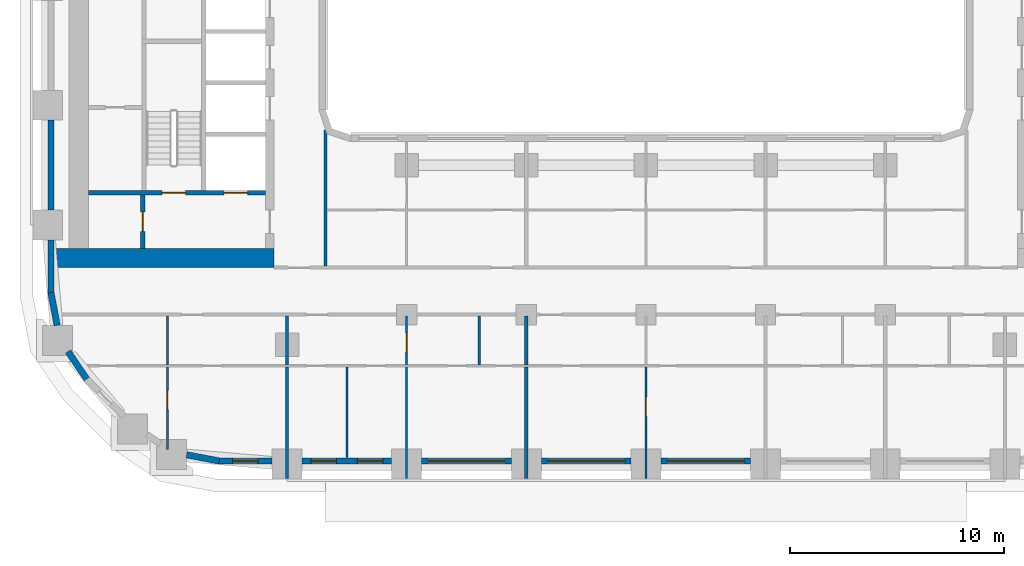
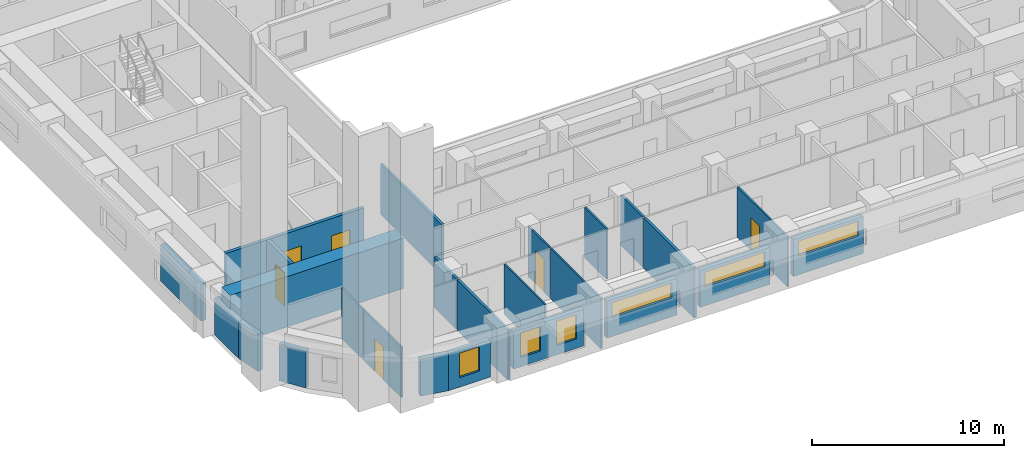
# One storey, part 2 of 22: 25 walls, 6 doors, 6 windows, 12 openings.
"""IFC4 building model written with IfcOpenShell, lengths in metres."""

from ifc_helpers import new_model, si_unit, direction, frame, frame_2d, origin, place, context, subcontext, project, spatial, rectangle, extrude, material, layer, layer_set, type_object, element, fill, save


model = new_model("IFC4")

# Units and contexts
model_context = context("Model", 3, precision=1e-05, world=origin(), true_north=direction((0.0, 1.0)))
body_context = subcontext(model_context, "Body", "Model", "MODEL_VIEW")
ifc_project = project(units=[si_unit("LENGTHUNIT", "METRE"), si_unit("AREAUNIT", "SQUARE_METRE"), si_unit("VOLUMEUNIT", "CUBIC_METRE"), si_unit("PLANEANGLEUNIT", "RADIAN"), si_unit("MASSUNIT", "GRAM", prefix="KILO")], contexts=[model_context])

# Site, building, storey
site_placement = place(None, origin())
site = spatial("IfcSite", under=ifc_project, at=site_placement, CompositionType="ELEMENT")
building_placement = place(site_placement, origin())
building = spatial("IfcBuilding", under=site, at=building_placement, Name="Kiln Ring Residences", CompositionType="ELEMENT")
storey_placement = place(building_placement, frame((0.0, 0.0, 55.0)))
storey = spatial("IfcBuildingStorey", under=building, at=storey_placement, Name="L13", CompositionType="ELEMENT", Elevation=55.0)

# Wall, opening, door
ifc_material_1 = material(Name="Gypsum board on steel studs", Category="steel")
ifc_layer_1 = layer(ifc_material_1, 0.199951171875)
ifc_layer_set_1 = layer_set([ifc_layer_1], Name="CORE-PARTITION-200")
wall_type_1 = type_object("IfcWallType", Name="CORE-PARTITION-200", PredefinedType="PARTITIONING", material=ifc_layer_set_1)
wall_1_placement = place(storey_placement, frame((-23.550048828125, -12.300048828125, 0.0), z_axis=(0.0, 0.0, 1.0), x_axis=(0.0, 1.0, 0.0)))
wall_1 = element("IfcWall", 1, at=wall_1_placement, inside=storey, type_object=wall_type_1, Name="Core partition west L13 4", PredefinedType="PARTITIONING", context=body_context, shape_type="SweptSolid", body=[
    extrude(rectangle(XDim=2.5, YDim=0.199951171875, at=frame_2d((1.25, 0.0))), origin(), (0.0, 0.0, 1.0), 3.199951171875),
])
opening_1_placement = place(wall_1_placement, frame((0.800048828125, 0.0, 0.0)))
opening_1 = element("IfcOpeningElement", 2, at=opening_1_placement, cuts=wall_1, Name="Opening L13-CW10", PredefinedType="OPENING", context=body_context, shape_type="SweptSolid", body=[
    extrude(rectangle(XDim=0.89990234375, YDim=2.10009765625, at=frame_2d((0.449951171875, 1.050048828125))), frame((0.0, 0.10986328125, 0.0), z_axis=(0.0, -1.0, 0.0), x_axis=(1.0, 0.0, 0.0)), (0.0, 0.0, 1.0), 0.219970703125),
])
ifc_material_2 = material(Name="Steel door leaf", Category="steel")
door_type_1 = type_object("IfcDoorType", Name="CORE-DOOR-ROOM", OperationType="SINGLE_SWING_LEFT", PredefinedType="DOOR", material=ifc_material_2)
door_1_placement = place(opening_1_placement, origin())
door_1 = element("IfcDoor", 3, at=door_1_placement, inside=storey, type_object=door_type_1, Name="Store L13-CW10", OperationType="SINGLE_SWING_RIGHT", OverallHeight=2.10009765625, OverallWidth=0.89990234375, PredefinedType="DOOR", context=body_context, shape_type="SweptSolid", body=[
    extrude(rectangle(XDim=0.89990234375, YDim=2.10009765625, at=frame_2d((0.449951171875, 1.050048828125))), frame((0.0, 0.02490234375, 0.0), z_axis=(0.0, -1.0, 0.0), x_axis=(1.0, 0.0, 0.0)), (0.0, 0.0, 1.0), 0.050048828125),
])
fill(opening_1, door_1)

# Wall, openings, doors
ifc_material_3 = material(Name="Concrete C40/50", Category="concrete")
ifc_layer_2 = layer(ifc_material_3, 0.199951171875)
ifc_layer_set_2 = layer_set([ifc_layer_2], Name="CORE-WALL-RC200")
wall_type_2 = type_object("IfcWallType", Name="CORE-WALL-RC200", PredefinedType="SHEAR", material=ifc_layer_set_2)
wall_2_placement = place(storey_placement, frame((-17.800048828125, -9.699951171875, 0.0), z_axis=(0.0, 0.0, 1.0), x_axis=(-1.0, 0.0, 0.0)))
wall_2 = element("IfcWall", 4, at=wall_2_placement, inside=storey, type_object=wall_type_2, Name="Core wall west L13 8", PredefinedType="SHEAR", context=body_context, shape_type="SweptSolid", body=[
    extrude(rectangle(XDim=8.300048828125, YDim=0.199951171875, at=frame_2d((4.14990234375, 0.0))), origin(), (0.0, 0.0, 1.0), 3.199951171875),
])
opening_2_placement = place(wall_2_placement, frame((0.85009765625, 0.0, 0.0)))
opening_2 = element("IfcOpeningElement", 5, at=opening_2_placement, cuts=wall_2, Name="Opening L13-CW01", PredefinedType="OPENING", context=body_context, shape_type="SweptSolid", body=[
    extrude(rectangle(XDim=1.10009765625, YDim=2.10009765625, at=frame_2d((0.550048828125, 1.050048828125))), frame((0.0, 0.10986328125, 0.0), z_axis=(0.0, -1.0, 0.0), x_axis=(1.0, 0.0, 0.0)), (0.0, 0.0, 1.0), 0.219970703125),
])
opening_3_placement = place(wall_2_placement, frame((3.75, 0.0, 0.0)))
opening_3 = element("IfcOpeningElement", 6, at=opening_3_placement, cuts=wall_2, Name="Opening L13-CW12", PredefinedType="OPENING", context=body_context, shape_type="SweptSolid", body=[
    extrude(rectangle(XDim=1.10009765625, YDim=2.10009765625, at=frame_2d((0.550048828125, 1.050048828125))), frame((0.0, 0.10986328125, 0.0), z_axis=(0.0, -1.0, 0.0), x_axis=(1.0, 0.0, 0.0)), (0.0, 0.0, 1.0), 0.219970703125),
])
ifc_material_4 = material(Name="Steel door leaf", Category="steel")
door_type_2 = type_object("IfcDoorType", Name="CORE-DOOR-LD", OperationType="DOUBLE_DOOR_SLIDING", PredefinedType="DOOR", material=ifc_material_4)
door_2_placement = place(opening_2_placement, origin())
door_2 = element("IfcDoor", 7, at=door_2_placement, inside=storey, type_object=door_type_2, Name="LD W-SV L13-CW01", OperationType="DOUBLE_DOOR_SLIDING", OverallHeight=2.10009765625, OverallWidth=1.10009765625, PredefinedType="DOOR", context=body_context, shape_type="SweptSolid", body=[
    extrude(rectangle(XDim=1.10009765625, YDim=2.10009765625, at=frame_2d((0.550048828125, 1.050048828125))), frame((0.0, 0.02490234375, 0.0), z_axis=(0.0, -1.0, 0.0), x_axis=(1.0, 0.0, 0.0)), (0.0, 0.0, 1.0), 0.050048828125),
])
fill(opening_2, door_2)
ifc_material_5 = material(Name="Steel door leaf", Category="steel")
door_type_3 = type_object("IfcDoorType", Name="CORE-DOOR-STAIR", OperationType="SINGLE_SWING_LEFT", PredefinedType="DOOR", material=ifc_material_5)
door_3_placement = place(opening_3_placement, origin())
door_3 = element("IfcDoor", 8, at=door_3_placement, inside=storey, type_object=door_type_3, Name="Stair W-STS L13-CW12", OperationType="SINGLE_SWING_LEFT", OverallHeight=2.10009765625, OverallWidth=1.10009765625, PredefinedType="DOOR", context=body_context, shape_type="SweptSolid", body=[
    extrude(rectangle(XDim=1.10009765625, YDim=2.10009765625, at=frame_2d((0.550048828125, 1.050048828125))), frame((0.0, 0.02490234375, 0.0), z_axis=(0.0, -1.0, 0.0), x_axis=(1.0, 0.0, 0.0)), (0.0, 0.0, 1.0), 0.050048828125),
])
fill(opening_3, door_3)

# Walls
ifc_material_6 = material(Name="Concrete C60/75", Category="concrete")
ifc_layer_3 = layer(ifc_material_6, 0.89990234375)
ifc_layer_set_3 = layer_set([ifc_layer_3], Name="CORE-WALL-RC900")
wall_type_3 = type_object("IfcWallType", Name="CORE-WALL-RC900", PredefinedType="SHEAR", material=ifc_layer_set_3)
wall_3_placement = place(storey_placement, frame((-17.39990234375, -12.75, 0.0), z_axis=(0.0, 0.0, 1.0), x_axis=(-1.0, 0.0, 0.0)))
element("IfcWall", 9, at=wall_3_placement, inside=storey, type_object=wall_type_3, Name="Core wall west L13 5", PredefinedType="SHEAR", context=body_context, shape_type="SweptSolid", body=[
    extrude(rectangle(XDim=10.400146484375, YDim=0.89990234375, at=frame_2d((5.2001953125, 0.0))), origin(), (0.0, 0.0, 1.0), 3.199951171875),
])
ifc_material_7 = material(Name="Brick masonry, dark clay brick", Category="masonry")
ifc_layer_4 = layer(ifc_material_7, 0.300048828125)
ifc_layer_set_4 = layer_set([ifc_layer_4], Name="EW-300 BRICK WALL")
wall_type_4 = type_object("IfcWallType", Name="EW-300 BRICK WALL", PredefinedType="SOLIDWALL", material=ifc_layer_set_4)
wall_4_placement = place(storey_placement, frame((-21.50048828125, -21.961181640625, 0.0), z_axis=(0.0, 0.0, 1.0), x_axis=(0.982297345734, -0.187328386968, 0.0)))
element("IfcWall", 10, at=wall_4_placement, inside=storey, type_object=wall_type_4, Name="Facade wall L13 3", PredefinedType="SOLIDWALL", context=body_context, shape_type="SweptSolid", body=[
    extrude(rectangle(XDim=1.55615234375, YDim=0.300048828125, at=frame_2d((0.778076171875, 0.0))), origin(), (0.0, 0.0, 1.0), 2.35009765625),
])

# Wall, opening, window
wall_5_placement = place(storey_placement, frame((-20.0, -22.25, 0.0), z_axis=(0.0, 0.0, 1.0), x_axis=(1.0, 0.0, 0.0)))
wall_5 = element("IfcWall", 11, at=wall_5_placement, inside=storey, type_object=wall_type_4, Name="Facade wall L13 4", PredefinedType="SOLIDWALL", context=body_context, shape_type="SweptSolid", body=[
    extrude(rectangle(XDim=2.5, YDim=0.300048828125, at=frame_2d((1.25, 0.0))), origin(), (0.0, 0.0, 1.0), 2.35009765625),
])
opening_4_placement = place(wall_5_placement, frame((0.64990234375, 0.0, 0.60009765625)))
opening_4 = element("IfcOpeningElement", 12, at=opening_4_placement, cuts=wall_5, Name="Opening W1", PredefinedType="OPENING", context=body_context, shape_type="SweptSolid", body=[
    extrude(rectangle(XDim=1.199951171875, YDim=1.550048828125, at=frame_2d((0.60009765625, 0.77490234375))), frame((0.0, 0.159912109375, 0.0), z_axis=(0.0, -1.0, 0.0), x_axis=(1.0, 0.0, 0.0)), (0.0, 0.0, 1.0), 0.320068359375),
])
ifc_material_8 = material(Name="Aluminium frame with double glazing", Category="aluminium")
window_type_1 = type_object("IfcWindowType", Name="WINDOW 1200 x 1550", PartitioningType="SINGLE_PANEL", PredefinedType="WINDOW", material=ifc_material_8)
window_1_placement = place(opening_4_placement, origin())
window_1 = element("IfcWindow", 13, at=window_1_placement, inside=storey, type_object=window_type_1, Name="Window L13 2", OverallHeight=1.550048828125, OverallWidth=1.199951171875, PartitioningType="SINGLE_PANEL", PredefinedType="WINDOW", context=body_context, shape_type="SweptSolid", body=[
    extrude(rectangle(XDim=1.199951171875, YDim=1.550048828125, at=frame_2d((0.60009765625, 0.77490234375))), frame((0.0, 0.030029296875, 0.0), z_axis=(0.0, -1.0, 0.0), x_axis=(1.0, 0.0, 0.0)), (0.0, 0.0, 1.0), 0.06005859375),
])
fill(opening_4, window_1)

# Wall, openings, windows
wall_6_placement = place(storey_placement, frame((-16.10009765625, -22.25, 0.0), z_axis=(0.0, 0.0, 1.0), x_axis=(1.0, 0.0, 0.0)))
wall_6 = element("IfcWall", 14, at=wall_6_placement, inside=storey, type_object=wall_type_4, Name="Facade wall L13 5", PredefinedType="SOLIDWALL", context=body_context, shape_type="SweptSolid", body=[
    extrude(rectangle(XDim=4.2001953125, YDim=0.300048828125, at=frame_2d((2.10009765625, 0.0))), origin(), (0.0, 0.0, 1.0), 2.35009765625),
])
opening_5_placement = place(wall_6_placement, frame((0.41259765625, 0.0, 0.60009765625)))
opening_5 = element("IfcOpeningElement", 15, at=opening_5_placement, cuts=wall_6, Name="Opening W1", PredefinedType="OPENING", context=body_context, shape_type="SweptSolid", body=[
    extrude(rectangle(XDim=1.199951171875, YDim=1.550048828125, at=frame_2d((0.60009765625, 0.77490234375))), frame((0.0, 0.159912109375, 0.0), z_axis=(0.0, -1.0, 0.0), x_axis=(1.0, 0.0, 0.0)), (0.0, 0.0, 1.0), 0.320068359375),
])
opening_6_placement = place(wall_6_placement, frame((2.58740234375, 0.0, 0.60009765625)))
opening_6 = element("IfcOpeningElement", 16, at=opening_6_placement, cuts=wall_6, Name="Opening W1", PredefinedType="OPENING", context=body_context, shape_type="SweptSolid", body=[
    extrude(rectangle(XDim=1.199951171875, YDim=1.550048828125, at=frame_2d((0.60009765625, 0.77490234375))), frame((0.0, 0.159912109375, 0.0), z_axis=(0.0, -1.0, 0.0), x_axis=(1.0, 0.0, 0.0)), (0.0, 0.0, 1.0), 0.320068359375),
])
window_2_placement = place(opening_5_placement, origin())
window_2 = element("IfcWindow", 17, at=window_2_placement, inside=storey, type_object=window_type_1, Name="Window L13 3", OverallHeight=1.550048828125, OverallWidth=1.199951171875, PartitioningType="SINGLE_PANEL", PredefinedType="WINDOW", context=body_context, shape_type="SweptSolid", body=[
    extrude(rectangle(XDim=1.199951171875, YDim=1.550048828125, at=frame_2d((0.60009765625, 0.77490234375))), frame((0.0, 0.030029296875, 0.0), z_axis=(0.0, -1.0, 0.0), x_axis=(1.0, 0.0, 0.0)), (0.0, 0.0, 1.0), 0.06005859375),
])
fill(opening_5, window_2)
window_3_placement = place(opening_6_placement, origin())
window_3 = element("IfcWindow", 18, at=window_3_placement, inside=storey, type_object=window_type_1, Name="Window L13 4", OverallHeight=1.550048828125, OverallWidth=1.199951171875, PartitioningType="SINGLE_PANEL", PredefinedType="WINDOW", context=body_context, shape_type="SweptSolid", body=[
    extrude(rectangle(XDim=1.199951171875, YDim=1.550048828125, at=frame_2d((0.60009765625, 0.77490234375))), frame((0.0, 0.030029296875, 0.0), z_axis=(0.0, -1.0, 0.0), x_axis=(1.0, 0.0, 0.0)), (0.0, 0.0, 1.0), 0.06005859375),
])
fill(opening_6, window_3)

# Wall, opening, window
wall_7_placement = place(storey_placement, frame((-10.5, -22.25, 0.0), z_axis=(0.0, 0.0, 1.0), x_axis=(1.0, 0.0, 0.0)))
wall_7 = element("IfcWall", 19, at=wall_7_placement, inside=storey, type_object=wall_type_4, Name="Facade wall L13 6", PredefinedType="SOLIDWALL", context=body_context, shape_type="SweptSolid", body=[
    extrude(rectangle(XDim=4.199951171875, YDim=0.300048828125, at=frame_2d((2.10009765625, 0.0))), origin(), (0.0, 0.0, 1.0), 2.35009765625),
])
opening_7_placement = place(wall_7_placement, frame((0.300048828125, 0.0, 1.199951171875)))
opening_7 = element("IfcOpeningElement", 20, at=opening_7_placement, cuts=wall_7, Name="Opening W4", PredefinedType="OPENING", context=body_context, shape_type="SweptSolid", body=[
    extrude(rectangle(XDim=3.60009765625, YDim=0.949951171875, at=frame_2d((1.800048828125, 0.47509765625))), frame((0.0, 0.159912109375, 0.0), z_axis=(0.0, -1.0, 0.0), x_axis=(1.0, 0.0, 0.0)), (0.0, 0.0, 1.0), 0.320068359375),
])
ifc_material_9 = material(Name="Aluminium frame with double glazing", Category="aluminium")
window_type_2 = type_object("IfcWindowType", Name="WINDOW 3600 x 950", PartitioningType="SINGLE_PANEL", PredefinedType="WINDOW", material=ifc_material_9)
window_4_placement = place(opening_7_placement, origin())
window_4 = element("IfcWindow", 21, at=window_4_placement, inside=storey, type_object=window_type_2, Name="Window L13 5", OverallHeight=0.949951171875, OverallWidth=3.60009765625, PartitioningType="SINGLE_PANEL", PredefinedType="WINDOW", context=body_context, shape_type="SweptSolid", body=[
    extrude(rectangle(XDim=3.60009765625, YDim=0.949951171875, at=frame_2d((1.800048828125, 0.47509765625))), frame((0.0, 0.030029296875, 0.0), z_axis=(0.0, -1.0, 0.0), x_axis=(1.0, 0.0, 0.0)), (0.0, 0.0, 1.0), 0.06005859375),
])
fill(opening_7, window_4)

wall_8_placement = place(storey_placement, frame((-4.89990234375, -22.25, 0.0), z_axis=(0.0, 0.0, 1.0), x_axis=(1.0, 0.0, 0.0)))
wall_8 = element("IfcWall", 22, at=wall_8_placement, inside=storey, type_object=wall_type_4, Name="Facade wall L13 7", PredefinedType="SOLIDWALL", context=body_context, shape_type="SweptSolid", body=[
    extrude(rectangle(XDim=4.199951171875, YDim=0.300048828125, at=frame_2d((2.10009765625, 0.0))), origin(), (0.0, 0.0, 1.0), 2.35009765625),
])
opening_8_placement = place(wall_8_placement, frame((0.300048828125, 0.0, 1.199951171875)))
opening_8 = element("IfcOpeningElement", 23, at=opening_8_placement, cuts=wall_8, Name="Opening W4", PredefinedType="OPENING", context=body_context, shape_type="SweptSolid", body=[
    extrude(rectangle(XDim=3.60009765625, YDim=0.949951171875, at=frame_2d((1.800048828125, 0.47509765625))), frame((0.0, 0.159912109375, 0.0), z_axis=(0.0, -1.0, 0.0), x_axis=(1.0, 0.0, 0.0)), (0.0, 0.0, 1.0), 0.320068359375),
])
window_5_placement = place(opening_8_placement, origin())
window_5 = element("IfcWindow", 24, at=window_5_placement, inside=storey, type_object=window_type_2, Name="Window L13 6", OverallHeight=0.949951171875, OverallWidth=3.60009765625, PartitioningType="SINGLE_PANEL", PredefinedType="WINDOW", context=body_context, shape_type="SweptSolid", body=[
    extrude(rectangle(XDim=3.60009765625, YDim=0.949951171875, at=frame_2d((1.800048828125, 0.47509765625))), frame((0.0, 0.030029296875, 0.0), z_axis=(0.0, -1.0, 0.0), x_axis=(1.0, 0.0, 0.0)), (0.0, 0.0, 1.0), 0.06005859375),
])
fill(opening_8, window_5)

wall_9_placement = place(storey_placement, frame((0.699951171875, -22.25, 0.0), z_axis=(0.0, 0.0, 1.0), x_axis=(1.0, 0.0, 0.0)))
wall_9 = element("IfcWall", 25, at=wall_9_placement, inside=storey, type_object=wall_type_4, Name="Facade wall L13 8", PredefinedType="SOLIDWALL", context=body_context, shape_type="SweptSolid", body=[
    extrude(rectangle(XDim=4.199951171875, YDim=0.300048828125, at=frame_2d((2.10009765625, 0.0))), origin(), (0.0, 0.0, 1.0), 2.35009765625),
])
opening_9_placement = place(wall_9_placement, frame((0.300048828125, 0.0, 1.199951171875)))
opening_9 = element("IfcOpeningElement", 26, at=opening_9_placement, cuts=wall_9, Name="Opening W4", PredefinedType="OPENING", context=body_context, shape_type="SweptSolid", body=[
    extrude(rectangle(XDim=3.60009765625, YDim=0.949951171875, at=frame_2d((1.800048828125, 0.47509765625))), frame((0.0, 0.159912109375, 0.0), z_axis=(0.0, -1.0, 0.0), x_axis=(1.0, 0.0, 0.0)), (0.0, 0.0, 1.0), 0.320068359375),
])
window_6_placement = place(opening_9_placement, origin())
window_6 = element("IfcWindow", 27, at=window_6_placement, inside=storey, type_object=window_type_2, Name="Window L13 7", OverallHeight=0.949951171875, OverallWidth=3.60009765625, PartitioningType="SINGLE_PANEL", PredefinedType="WINDOW", context=body_context, shape_type="SweptSolid", body=[
    extrude(rectangle(XDim=3.60009765625, YDim=0.949951171875, at=frame_2d((1.800048828125, 0.47509765625))), frame((0.0, 0.030029296875, 0.0), z_axis=(0.0, -1.0, 0.0), x_axis=(1.0, 0.0, 0.0)), (0.0, 0.0, 1.0), 0.06005859375),
])
fill(opening_9, window_6)

# Walls
wall_10_placement = place(storey_placement, frame((-27.85009765625, -6.300048828125, 0.0), z_axis=(0.0, 0.0, 1.0), x_axis=(0.0, -1.0, 0.0)))
element("IfcWall", 28, at=wall_10_placement, inside=storey, type_object=wall_type_4, Name="Facade wall L13 45", PredefinedType="SOLIDWALL", context=body_context, shape_type="SweptSolid", body=[
    extrude(rectangle(XDim=4.199951171875, YDim=0.300048828125, at=frame_2d((2.10009765625, 0.0))), origin(), (0.0, 0.0, 1.0), 2.35009765625),
])
wall_11_placement = place(storey_placement, frame((-27.85009765625, -11.89990234375, 0.0), z_axis=(0.0, 0.0, 1.0), x_axis=(0.0, -1.0, 0.0)))
element("IfcWall", 29, at=wall_11_placement, inside=storey, type_object=wall_type_4, Name="Facade wall L13 46", PredefinedType="SOLIDWALL", context=body_context, shape_type="SweptSolid", body=[
    extrude(rectangle(XDim=2.5, YDim=0.300048828125, at=frame_2d((1.25, 0.0))), origin(), (0.0, 0.0, 1.0), 2.35009765625),
])
for number, where, z_axis, x_axis, name in (
    (30, (-27.8525390625, -14.371826171875, 0.0), (0.0, 0.0, 1.0), (0.187328386968, -0.982297345734, 0.0), "Facade wall L13 47"),
    (31, (-27.053466796875, -17.125732421875, 0.0), (0.0, 0.0, 1.0), (0.56199241657, -0.827142384187, 0.0), "Facade wall L13 48"),
):
    element("IfcWall", number, at=place(storey_placement, frame(where, z_axis=z_axis, x_axis=x_axis)), inside=storey, type_object=wall_type_4, Name=name, PredefinedType="SOLIDWALL", context=body_context, shape_type="SweptSolid", body=[
        extrude(rectangle(XDim=1.55615234375, YDim=0.300048828125, at=frame_2d((0.778076171875, 0.0))), origin(), (0.0, 0.0, 1.0), 2.35009765625),
    ])

# Wall, opening, door
ifc_material_10 = material(Name="Gypsum board on steel studs", Category="steel")
ifc_layer_5 = layer(ifc_material_10, 0.10009765625)
ifc_layer_set_5 = layer_set([ifc_layer_5], Name="PARTITION-100")
wall_type_5 = type_object("IfcWallType", Name="PARTITION-100", PredefinedType="PARTITIONING", material=ifc_layer_set_5)
wall_12_placement = place(storey_placement, frame((-22.39990234375, -21.719970703125, 0.0), z_axis=(0.0, 0.0, 1.0), x_axis=(0.0, 1.0, 0.0)))
wall_12 = element("IfcWall", 32, at=wall_12_placement, inside=storey, type_object=wall_type_5, Name="Partition 008", PredefinedType="PARTITIONING", context=body_context, shape_type="SweptSolid", body=[
    extrude(rectangle(XDim=3.869873046875, YDim=0.10009765625, at=frame_2d((1.93505859375, 0.0))), origin(), (0.0, 0.0, 1.0), 3.199951171875),
])
opening_10_placement = place(wall_12_placement, frame((1.8701171875, 0.0, 0.0)))
opening_10 = element("IfcOpeningElement", 33, at=opening_10_placement, cuts=wall_12, Name="Opening L13-D056", PredefinedType="OPENING", context=body_context, shape_type="SweptSolid", body=[
    extrude(rectangle(XDim=0.89990234375, YDim=2.10009765625, at=frame_2d((0.449951171875, 1.050048828125))), frame((0.0, 0.06005859375, 0.0), z_axis=(0.0, -1.0, 0.0), x_axis=(1.0, 0.0, 0.0)), (0.0, 0.0, 1.0), 0.1201171875),
])
ifc_material_11 = material(Name="Timber door leaf", Category="wood")
door_type_4 = type_object("IfcDoorType", Name="FLAT-DOOR-900-PL", OperationType="SINGLE_SWING_LEFT", PredefinedType="DOOR", material=ifc_material_11)
door_4_placement = place(opening_10_placement, origin())
door_4 = element("IfcDoor", 34, at=door_4_placement, inside=storey, type_object=door_type_4, Name="Door L13-D056", OperationType="SINGLE_SWING_LEFT", OverallHeight=2.10009765625, OverallWidth=0.89990234375, PredefinedType="DOOR", context=body_context, shape_type="SweptSolid", body=[
    extrude(rectangle(XDim=0.89990234375, YDim=2.10009765625, at=frame_2d((0.449951171875, 1.050048828125))), frame((0.0, 0.02490234375, 0.0), z_axis=(0.0, -1.0, 0.0), x_axis=(1.0, 0.0, 0.0)), (0.0, 0.0, 1.0), 0.050048828125),
])
fill(opening_10, door_4)

# Walls
wall_13_placement = place(storey_placement, frame((-22.39990234375, -17.75, 0.0), z_axis=(0.0, 0.0, 1.0), x_axis=(0.0, 1.0, 0.0)))
element("IfcWall", 35, at=wall_13_placement, inside=storey, type_object=wall_type_5, Name="Partition 009", PredefinedType="PARTITIONING", context=body_context, shape_type="SweptSolid", body=[
    extrude(rectangle(XDim=2.27490234375, YDim=0.10009765625, at=frame_2d((1.137451171875, 0.0))), origin(), (0.0, 0.0, 1.0), 3.199951171875),
])
wall_14_placement = place(storey_placement, frame((-14.0, -22.080078125, 0.0), z_axis=(0.0, 0.0, 1.0), x_axis=(0.0, 1.0, 0.0)))
element("IfcWall", 36, at=wall_14_placement, inside=storey, type_object=wall_type_5, Name="Partition 018", PredefinedType="PARTITIONING", context=body_context, shape_type="SweptSolid", body=[
    extrude(rectangle(XDim=4.22998046875, YDim=0.10009765625, at=frame_2d((2.114990234375, 0.0))), origin(), (0.0, 0.0, 1.0), 3.199951171875),
])
wall_15_placement = place(storey_placement, frame((-11.199951171875, -23.080078125, 0.0), z_axis=(0.0, 0.0, 1.0), x_axis=(0.0, 1.0, 0.0)))
element("IfcWall", 37, at=wall_15_placement, inside=storey, type_object=wall_type_5, Name="Partition 020", PredefinedType="PARTITIONING", context=body_context, shape_type="SweptSolid", body=[
    extrude(rectangle(XDim=5.22998046875, YDim=0.10009765625, at=frame_2d((2.614990234375, 0.0))), origin(), (0.0, 0.0, 1.0), 3.199951171875),
])

# Wall, opening, door
wall_16_placement = place(storey_placement, frame((-11.199951171875, -17.75, 0.0), z_axis=(0.0, 0.0, 1.0), x_axis=(0.0, 1.0, 0.0)))
wall_16 = element("IfcWall", 38, at=wall_16_placement, inside=storey, type_object=wall_type_5, Name="Partition 021", PredefinedType="PARTITIONING", context=body_context, shape_type="SweptSolid", body=[
    extrude(rectangle(XDim=2.27490234375, YDim=0.10009765625, at=frame_2d((1.137451171875, 0.0))), origin(), (0.0, 0.0, 1.0), 3.199951171875),
])
opening_11_placement = place(wall_16_placement, frame((0.60009765625, 0.0, 0.0)))
opening_11 = element("IfcOpeningElement", 39, at=opening_11_placement, cuts=wall_16, Name="Opening L13-D058", PredefinedType="OPENING", context=body_context, shape_type="SweptSolid", body=[
    extrude(rectangle(XDim=0.89990234375, YDim=2.10009765625, at=frame_2d((0.449951171875, 1.050048828125))), frame((0.0, 0.06005859375, 0.0), z_axis=(0.0, -1.0, 0.0), x_axis=(1.0, 0.0, 0.0)), (0.0, 0.0, 1.0), 0.1201171875),
])
door_5_placement = place(opening_11_placement, origin())
door_5 = element("IfcDoor", 40, at=door_5_placement, inside=storey, type_object=door_type_4, Name="Door L13-D058", OperationType="SINGLE_SWING_RIGHT", OverallHeight=2.10009765625, OverallWidth=0.89990234375, PredefinedType="DOOR", context=body_context, shape_type="SweptSolid", body=[
    extrude(rectangle(XDim=0.89990234375, YDim=2.10009765625, at=frame_2d((0.449951171875, 1.050048828125))), frame((0.0, 0.02490234375, 0.0), z_axis=(0.0, -1.0, 0.0), x_axis=(1.0, 0.0, 0.0)), (0.0, 0.0, 1.0), 0.050048828125),
])
fill(opening_11, door_5)

# Wall
wall_17_placement = place(storey_placement, frame((-7.800048828125, -17.75, 0.0), z_axis=(0.0, 0.0, 1.0), x_axis=(0.0, 1.0, 0.0)))
element("IfcWall", 41, at=wall_17_placement, inside=storey, type_object=wall_type_5, Name="Partition 028", PredefinedType="PARTITIONING", context=body_context, shape_type="SweptSolid", body=[
    extrude(rectangle(XDim=2.27490234375, YDim=0.10009765625, at=frame_2d((1.137451171875, 0.0))), origin(), (0.0, 0.0, 1.0), 3.199951171875),
])

# Wall, opening, door
wall_18_placement = place(storey_placement, frame((0.0, -23.080078125, 0.0), z_axis=(0.0, 0.0, 1.0), x_axis=(0.0, 1.0, 0.0)))
wall_18 = element("IfcWall", 42, at=wall_18_placement, inside=storey, type_object=wall_type_5, Name="Partition 038", PredefinedType="PARTITIONING", context=body_context, shape_type="SweptSolid", body=[
    extrude(rectangle(XDim=5.22998046875, YDim=0.10009765625, at=frame_2d((2.614990234375, 0.0))), origin(), (0.0, 0.0, 1.0), 3.199951171875),
])
opening_12_placement = place(wall_18_placement, frame((2.919921875, 0.0, 0.0)))
opening_12 = element("IfcOpeningElement", 43, at=opening_12_placement, cuts=wall_18, Name="Opening L13-D066", PredefinedType="OPENING", context=body_context, shape_type="SweptSolid", body=[
    extrude(rectangle(XDim=0.89990234375, YDim=2.10009765625, at=frame_2d((0.449951171875, 1.050048828125))), frame((0.0, 0.06005859375, 0.0), z_axis=(0.0, -1.0, 0.0), x_axis=(1.0, 0.0, 0.0)), (0.0, 0.0, 1.0), 0.1201171875),
])
door_6_placement = place(opening_12_placement, origin())
door_6 = element("IfcDoor", 44, at=door_6_placement, inside=storey, type_object=door_type_4, Name="Door L13-D066", OperationType="SINGLE_SWING_RIGHT", OverallHeight=2.10009765625, OverallWidth=0.89990234375, PredefinedType="DOOR", context=body_context, shape_type="SweptSolid", body=[
    extrude(rectangle(XDim=0.89990234375, YDim=2.10009765625, at=frame_2d((0.449951171875, 1.050048828125))), frame((0.0, 0.02490234375, 0.0), z_axis=(0.0, -1.0, 0.0), x_axis=(1.0, 0.0, 0.0)), (0.0, 0.0, 1.0), 0.050048828125),
])
fill(opening_12, door_6)

# Walls
ifc_material_12 = material(Name="Brick masonry partition", Category="masonry")
ifc_layer_6 = layer(ifc_material_12, 0.14990234375)
ifc_layer_set_6 = layer_set([ifc_layer_6], Name="PARTITION-150-ei60")
wall_type_6 = type_object("IfcWallType", Name="PARTITION-150-ei60", PredefinedType="PARTITIONING", material=ifc_layer_set_6)
wall_19_placement = place(storey_placement, frame((-16.800048828125, -23.080078125, 0.0), z_axis=(0.0, 0.0, 1.0), x_axis=(0.0, 1.0, 0.0)))
element("IfcWall", 45, at=wall_19_placement, inside=storey, type_object=wall_type_6, Name="Partition 012", PredefinedType="PARTITIONING", context=body_context, shape_type="SweptSolid", body=[
    extrude(rectangle(XDim=5.22998046875, YDim=0.14990234375, at=frame_2d((2.614990234375, 0.0))), origin(), (0.0, 0.0, 1.0), 3.199951171875),
])
wall_20_placement = place(storey_placement, frame((-16.800048828125, -17.75, 0.0), z_axis=(0.0, 0.0, 1.0), x_axis=(0.0, 1.0, 0.0)))
element("IfcWall", 46, at=wall_20_placement, inside=storey, type_object=wall_type_6, Name="Partition 013", PredefinedType="PARTITIONING", context=body_context, shape_type="SweptSolid", body=[
    extrude(rectangle(XDim=2.27490234375, YDim=0.14990234375, at=frame_2d((1.137451171875, 0.0))), origin(), (0.0, 0.0, 1.0), 3.199951171875),
])
wall_21_placement = place(storey_placement, frame((-15.0, -13.125, 0.0), z_axis=(0.0, 0.0, 1.0), x_axis=(0.0, 1.0, 0.0)))
element("IfcWall", 47, at=wall_21_placement, inside=storey, type_object=wall_type_6, Name="Partition 016", PredefinedType="PARTITIONING", context=body_context, shape_type="SweptSolid", body=[
    extrude(rectangle(XDim=6.356201171875, YDim=0.14990234375, at=frame_2d((3.17822265625, 0.0))), origin(), (0.0, 0.0, 1.0), 3.199951171875),
])
wall_22_placement = place(storey_placement, frame((-5.60009765625, -23.080078125, 0.0), z_axis=(0.0, 0.0, 1.0), x_axis=(0.0, 1.0, 0.0)))
element("IfcWall", 48, at=wall_22_placement, inside=storey, type_object=wall_type_6, Name="Partition 031", PredefinedType="PARTITIONING", context=body_context, shape_type="SweptSolid", body=[
    extrude(rectangle(XDim=5.22998046875, YDim=0.14990234375, at=frame_2d((2.614990234375, 0.0))), origin(), (0.0, 0.0, 1.0), 3.199951171875),
])
wall_23_placement = place(storey_placement, frame((-5.60009765625, -17.75, 0.0), z_axis=(0.0, 0.0, 1.0), x_axis=(0.0, 1.0, 0.0)))
element("IfcWall", 49, at=wall_23_placement, inside=storey, type_object=wall_type_6, Name="Partition 032", PredefinedType="PARTITIONING", context=body_context, shape_type="SweptSolid", body=[
    extrude(rectangle(XDim=2.27490234375, YDim=0.14990234375, at=frame_2d((1.137451171875, 0.0))), origin(), (0.0, 0.0, 1.0), 3.199951171875),
])

save(model, "model.ifc")
